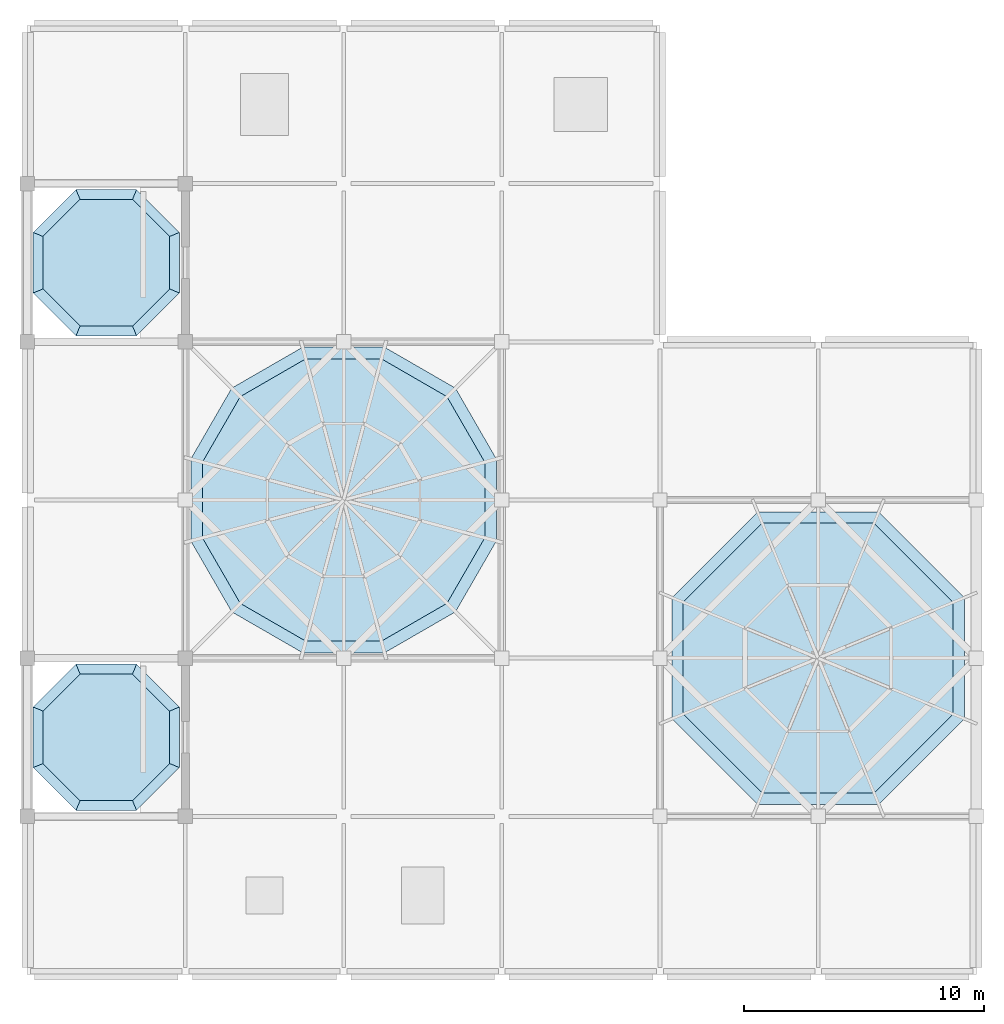
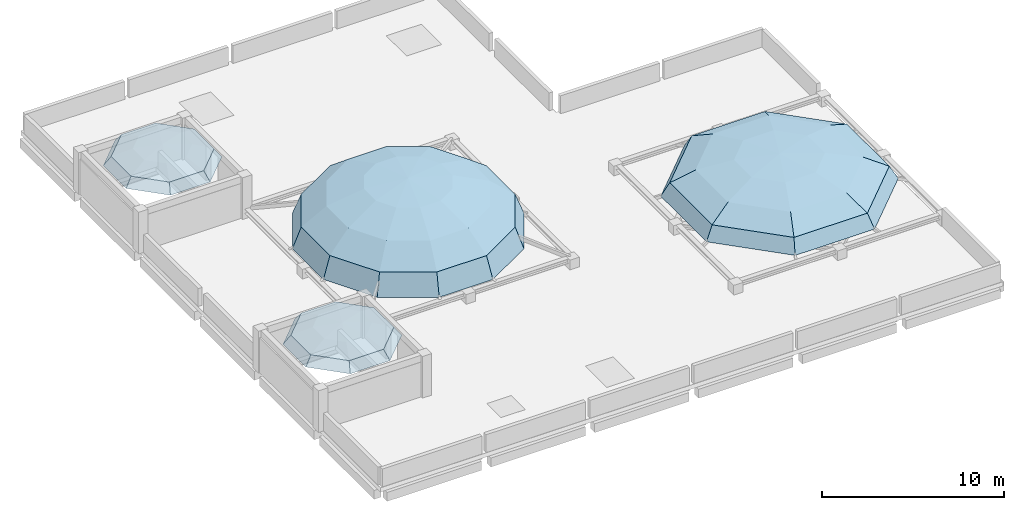
# One storey, part 5 of 5: 4 roofs.
"""IFC4 building model written with IfcOpenShell, lengths in metres."""

from ifc_helpers import new_model, si_unit, direction, frame, origin, place, context, subcontext, project, spatial, polygons, material, layer, layer_set, type_object, element, save


model = new_model("IFC4")

# Units and contexts
model_context = context("Model", 3, precision=1e-05, world=origin(), true_north=direction((0.0, 1.0)))
body_context = subcontext(model_context, "Body", "Model", "MODEL_VIEW")
ifc_project = project(units=[si_unit("LENGTHUNIT", "METRE"), si_unit("AREAUNIT", "SQUARE_METRE"), si_unit("VOLUMEUNIT", "CUBIC_METRE"), si_unit("PLANEANGLEUNIT", "RADIAN"), si_unit("MASSUNIT", "GRAM", prefix="KILO")], contexts=[model_context])

# Site, building, storey
site_placement = place(None, origin())
site = spatial("IfcSite", under=ifc_project, at=site_placement, CompositionType="ELEMENT")
building_placement = place(site_placement, origin())
building = spatial("IfcBuilding", under=site, at=building_placement, Name="Rusizi Kubbe Research Institute", CompositionType="ELEMENT")
storey_placement = place(building_placement, frame((0.0, 0.0, 73.199951171875)))
storey = spatial("IfcBuildingStorey", under=building, at=storey_placement, Name="ROOF", CompositionType="ELEMENT", Elevation=73.199951171875)

# Roofs
ifc_material_1 = material(Name="Standing Seam Zinc Insulated Shell")
ifc_layer_1 = layer(ifc_material_1, 0.179931640625)
ifc_layer_set_1 = layer_set([ifc_layer_1], Name="Standing Seam Zinc Insulated Shell")
roof_type_1 = type_object("IfcRoofType", Name="RF-05", PredefinedType="DOME_ROOF", material=ifc_layer_set_1)
roof_1_placement = place(storey_placement, frame((13.199951171875, 19.800048828125, 0.650146484375)))
element("IfcRoof", 1, at=roof_1_placement, inside=storey, type_object=roof_type_1, Name="Observatory Primary Kubbe Dome Roof", PredefinedType="DOME_ROOF", context=body_context, shape_type="Tessellation", body=[
    polygons([(6.375, 1.708251953125, 0.0), (4.6669921875, 4.6669921875, 0.0), (1.708251953125, 6.375, 0.0), (-1.708251953125, 6.375, 0.0), (-4.6669921875, 4.6669921875, 0.0), (-6.375, 1.708251953125, 0.0), (-6.375, -1.708251953125, 0.0), (-4.6669921875, -4.6669921875, 0.0), (-1.708251953125, -6.375, 0.0), (1.708251953125, -6.375, 0.0), (4.6669921875, -4.6669921875, 0.0), (6.375, -1.708251953125, 0.0), (5.889892578125, 1.578125, 1.358642578125), (4.311767578125, 4.311767578125, 1.358642578125), (1.578125, 5.889892578125, 1.358642578125), (-1.578125, 5.889892578125, 1.358642578125), (-4.311767578125, 4.311767578125, 1.358642578125), (-5.889892578125, 1.578125, 1.358642578125), (-5.889892578125, -1.578125, 1.358642578125), (-4.311767578125, -4.311767578125, 1.358642578125), (-1.578125, -5.889892578125, 1.358642578125), (1.578125, -5.889892578125, 1.358642578125), (4.311767578125, -4.311767578125, 1.358642578125), (5.889892578125, -1.578125, 1.358642578125), (4.5078125, 1.207763671875, 2.51025390625), (3.300048828125, 3.300048828125, 2.51025390625), (1.207763671875, 4.5078125, 2.51025390625), (-1.207763671875, 4.5078125, 2.51025390625), (-3.300048828125, 3.300048828125, 2.51025390625), (-4.5078125, 1.207763671875, 2.51025390625), (-4.5078125, -1.207763671875, 2.51025390625), (-3.300048828125, -3.300048828125, 2.51025390625), (-1.207763671875, -4.5078125, 2.51025390625), (1.207763671875, -4.5078125, 2.51025390625), (3.300048828125, -3.300048828125, 2.51025390625), (4.5078125, -1.207763671875, 2.51025390625), (2.439697265625, 0.65380859375, 3.27978515625), (1.785888671875, 1.785888671875, 3.27978515625), (0.65380859375, 2.439697265625, 3.27978515625), (-0.65380859375, 2.439697265625, 3.27978515625), (-1.785888671875, 1.785888671875, 3.27978515625), (-2.439697265625, 0.65380859375, 3.27978515625), (-2.439697265625, -0.65380859375, 3.27978515625), (-1.785888671875, -1.785888671875, 3.27978515625), (-0.65380859375, -2.439697265625, 3.27978515625), (0.65380859375, -2.439697265625, 3.27978515625), (1.785888671875, -1.785888671875, 3.27978515625), (2.439697265625, -0.65380859375, 3.27978515625), (0.0, 0.0, 3.550048828125), (6.201171875, 1.66162109375, 0.0), (4.53955078125, 4.53955078125, 0.0), (1.66162109375, 6.201171875, 0.0), (-1.66162109375, 6.201171875, 0.0), (-4.53955078125, 4.53955078125, 0.0), (-6.201171875, 1.66162109375, 0.0), (-6.201171875, -1.66162109375, 0.0), (-4.53955078125, -4.53955078125, 0.0), (-1.66162109375, -6.201171875, 0.0), (1.66162109375, -6.201171875, 0.0), (4.53955078125, -4.53955078125, 0.0), (6.201171875, -1.66162109375, 0.0), (5.729248046875, 1.53515625, 1.28955078125), (4.194091796875, 4.194091796875, 1.28955078125), (1.53515625, 5.729248046875, 1.28955078125), (-1.53515625, 5.729248046875, 1.28955078125), (-4.194091796875, 4.194091796875, 1.28955078125), (-5.729248046875, 1.53515625, 1.28955078125), (-5.729248046875, -1.53515625, 1.28955078125), (-4.194091796875, -4.194091796875, 1.28955078125), (-1.53515625, -5.729248046875, 1.28955078125), (1.53515625, -5.729248046875, 1.28955078125), (4.194091796875, -4.194091796875, 1.28955078125), (5.729248046875, -1.53515625, 1.28955078125), (4.385009765625, 1.175048828125, 2.383056640625), (3.2099609375, 3.2099609375, 2.383056640625), (1.175048828125, 4.385009765625, 2.383056640625), (-1.175048828125, 4.385009765625, 2.383056640625), (-3.2099609375, 3.2099609375, 2.383056640625), (-4.385009765625, 1.175048828125, 2.383056640625), (-4.385009765625, -1.175048828125, 2.383056640625), (-3.2099609375, -3.2099609375, 2.383056640625), (-1.175048828125, -4.385009765625, 2.383056640625), (1.175048828125, -4.385009765625, 2.383056640625), (3.2099609375, -3.2099609375, 2.383056640625), (4.385009765625, -1.175048828125, 2.383056640625), (2.373046875, 0.635986328125, 3.113525390625), (1.7373046875, 1.7373046875, 3.113525390625), (0.635986328125, 2.373046875, 3.113525390625), (-0.635986328125, 2.373046875, 3.113525390625), (-1.7373046875, 1.7373046875, 3.113525390625), (-2.373046875, 0.635986328125, 3.113525390625), (-2.373046875, -0.635986328125, 3.113525390625), (-1.7373046875, -1.7373046875, 3.113525390625), (-0.635986328125, -2.373046875, 3.113525390625), (0.635986328125, -2.373046875, 3.113525390625), (1.7373046875, -1.7373046875, 3.113525390625), (2.373046875, -0.635986328125, 3.113525390625), (0.0, 0.0, 3.3701171875)], [[[1, 2, 14, 13]], [[2, 3, 15, 14]], [[3, 4, 16, 15]], [[4, 5, 17, 16]], [[5, 6, 18, 17]], [[6, 7, 19, 18]], [[7, 8, 20, 19]], [[8, 9, 21, 20]], [[9, 10, 22, 21]], [[10, 11, 23, 22]], [[11, 12, 24, 23]], [[12, 1, 13, 24]], [[13, 14, 26, 25]], [[14, 15, 27, 26]], [[15, 16, 28, 27]], [[16, 17, 29, 28]], [[17, 18, 30, 29]], [[18, 19, 31, 30]], [[19, 20, 32, 31]], [[20, 21, 33, 32]], [[21, 22, 34, 33]], [[22, 23, 35, 34]], [[23, 24, 36, 35]], [[24, 13, 25, 36]], [[25, 26, 38, 37]], [[26, 27, 39, 38]], [[27, 28, 40, 39]], [[28, 29, 41, 40]], [[29, 30, 42, 41]], [[30, 31, 43, 42]], [[31, 32, 44, 43]], [[32, 33, 45, 44]], [[33, 34, 46, 45]], [[34, 35, 47, 46]], [[35, 36, 48, 47]], [[36, 25, 37, 48]], [[37, 38, 49]], [[38, 39, 49]], [[39, 40, 49]], [[40, 41, 49]], [[41, 42, 49]], [[42, 43, 49]], [[43, 44, 49]], [[44, 45, 49]], [[45, 46, 49]], [[46, 47, 49]], [[47, 48, 49]], [[48, 37, 49]], [[50, 62, 63, 51]], [[51, 63, 64, 52]], [[52, 64, 65, 53]], [[53, 65, 66, 54]], [[54, 66, 67, 55]], [[55, 67, 68, 56]], [[56, 68, 69, 57]], [[57, 69, 70, 58]], [[58, 70, 71, 59]], [[59, 71, 72, 60]], [[60, 72, 73, 61]], [[61, 73, 62, 50]], [[62, 74, 75, 63]], [[63, 75, 76, 64]], [[64, 76, 77, 65]], [[65, 77, 78, 66]], [[66, 78, 79, 67]], [[67, 79, 80, 68]], [[68, 80, 81, 69]], [[69, 81, 82, 70]], [[70, 82, 83, 71]], [[71, 83, 84, 72]], [[72, 84, 85, 73]], [[73, 85, 74, 62]], [[74, 86, 87, 75]], [[75, 87, 88, 76]], [[76, 88, 89, 77]], [[77, 89, 90, 78]], [[78, 90, 91, 79]], [[79, 91, 92, 80]], [[80, 92, 93, 81]], [[81, 93, 94, 82]], [[82, 94, 95, 83]], [[83, 95, 96, 84]], [[84, 96, 97, 85]], [[85, 97, 86, 74]], [[86, 98, 87]], [[87, 98, 88]], [[88, 98, 89]], [[89, 98, 90]], [[90, 98, 91]], [[91, 98, 92]], [[92, 98, 93]], [[93, 98, 94]], [[94, 98, 95]], [[95, 98, 96]], [[96, 98, 97]], [[97, 98, 86]], [[1, 50, 51, 2]], [[2, 51, 52, 3]], [[3, 52, 53, 4]], [[4, 53, 54, 5]], [[5, 54, 55, 6]], [[6, 55, 56, 7]], [[7, 56, 57, 8]], [[8, 57, 58, 9]], [[9, 58, 59, 10]], [[10, 59, 60, 11]], [[11, 60, 61, 12]], [[12, 61, 50, 1]]], closed=True),
])
ifc_material_2 = material(Name="Standing Seam Zinc Insulated Shell")
ifc_layer_2 = layer(ifc_material_2, 0.179931640625)
ifc_layer_set_2 = layer_set([ifc_layer_2], Name="Standing Seam Zinc Insulated Shell")
roof_type_2 = type_object("IfcRoofType", Name="RF-06", PredefinedType="DOME_ROOF", material=ifc_layer_set_2)
roof_2_placement = place(storey_placement, frame((3.300048828125, 9.89990234375, 2.800048828125)))
element("IfcRoof", 2, at=roof_2_placement, inside=storey, type_object=roof_type_2, Name="Roof Stair Headhouse Kubbe Cupola ST1", PredefinedType="DOME_ROOF", context=body_context, shape_type="Tessellation", body=[
    polygons([(3.048828125, 1.262939453125, 0.0), (1.262939453125, 3.048828125, 0.0), (-1.262939453125, 3.048828125, 0.0), (-3.048828125, 1.262939453125, 0.0), (-3.048828125, -1.262939453125, 0.0), (-1.262939453125, -3.048828125, 0.0), (1.262939453125, -3.048828125, 0.0), (3.048828125, -1.262939453125, 0.0), (2.640380859375, 1.09375, 0.574951171875), (1.09375, 2.640380859375, 0.574951171875), (-1.09375, 2.640380859375, 0.574951171875), (-2.640380859375, 1.09375, 0.574951171875), (-2.640380859375, -1.09375, 0.574951171875), (-1.09375, -2.640380859375, 0.574951171875), (1.09375, -2.640380859375, 0.574951171875), (2.640380859375, -1.09375, 0.574951171875), (1.5244140625, 0.63134765625, 0.995849609375), (0.63134765625, 1.5244140625, 0.995849609375), (-0.63134765625, 1.5244140625, 0.995849609375), (-1.5244140625, 0.63134765625, 0.995849609375), (-1.5244140625, -0.63134765625, 0.995849609375), (-0.63134765625, -1.5244140625, 0.995849609375), (0.63134765625, -1.5244140625, 0.995849609375), (1.5244140625, -0.63134765625, 0.995849609375), (0.0, 0.0, 1.14990234375), (2.882568359375, 1.194091796875, 0.0), (1.194091796875, 2.882568359375, 0.0), (-1.194091796875, 2.882568359375, 0.0), (-2.882568359375, 1.194091796875, 0.0), (-2.882568359375, -1.194091796875, 0.0), (-1.194091796875, -2.882568359375, 0.0), (1.194091796875, -2.882568359375, 0.0), (2.882568359375, -1.194091796875, 0.0), (2.496337890625, 1.033935546875, 0.485107421875), (1.033935546875, 2.496337890625, 0.485107421875), (-1.033935546875, 2.496337890625, 0.485107421875), (-2.496337890625, 1.033935546875, 0.485107421875), (-2.496337890625, -1.033935546875, 0.485107421875), (-1.033935546875, -2.496337890625, 0.485107421875), (1.033935546875, -2.496337890625, 0.485107421875), (2.496337890625, -1.033935546875, 0.485107421875), (1.441162109375, 0.596923828125, 0.840087890625), (0.596923828125, 1.441162109375, 0.840087890625), (-0.596923828125, 1.441162109375, 0.840087890625), (-1.441162109375, 0.596923828125, 0.840087890625), (-1.441162109375, -0.596923828125, 0.840087890625), (-0.596923828125, -1.441162109375, 0.840087890625), (0.596923828125, -1.441162109375, 0.840087890625), (1.441162109375, -0.596923828125, 0.840087890625), (0.0, 0.0, 0.969970703125)], [[[1, 2, 10, 9]], [[2, 3, 11, 10]], [[3, 4, 12, 11]], [[4, 5, 13, 12]], [[5, 6, 14, 13]], [[6, 7, 15, 14]], [[7, 8, 16, 15]], [[8, 1, 9, 16]], [[9, 10, 18, 17]], [[10, 11, 19, 18]], [[11, 12, 20, 19]], [[12, 13, 21, 20]], [[13, 14, 22, 21]], [[14, 15, 23, 22]], [[15, 16, 24, 23]], [[16, 9, 17, 24]], [[17, 18, 25]], [[18, 19, 25]], [[19, 20, 25]], [[20, 21, 25]], [[21, 22, 25]], [[22, 23, 25]], [[23, 24, 25]], [[24, 17, 25]], [[26, 34, 35, 27]], [[27, 35, 36, 28]], [[28, 36, 37, 29]], [[29, 37, 38, 30]], [[30, 38, 39, 31]], [[31, 39, 40, 32]], [[32, 40, 41, 33]], [[33, 41, 34, 26]], [[34, 42, 43, 35]], [[35, 43, 44, 36]], [[36, 44, 45, 37]], [[37, 45, 46, 38]], [[38, 46, 47, 39]], [[39, 47, 48, 40]], [[40, 48, 49, 41]], [[41, 49, 42, 34]], [[42, 50, 43]], [[43, 50, 44]], [[44, 50, 45]], [[45, 50, 46]], [[46, 50, 47]], [[47, 50, 48]], [[48, 50, 49]], [[49, 50, 42]], [[1, 26, 27, 2]], [[2, 27, 28, 3]], [[3, 28, 29, 4]], [[4, 29, 30, 5]], [[5, 30, 31, 6]], [[6, 31, 32, 7]], [[7, 32, 33, 8]], [[8, 33, 26, 1]]], closed=True),
])
roof_3_placement = place(storey_placement, frame((3.300048828125, 29.699951171875, 2.800048828125)))
element("IfcRoof", 3, at=roof_3_placement, inside=storey, type_object=roof_type_2, Name="Roof Stair Headhouse Kubbe Cupola ST2", PredefinedType="DOME_ROOF", context=body_context, shape_type="Tessellation", body=[
    polygons([(3.048828125, 1.262939453125, 0.0), (1.262939453125, 3.048828125, 0.0), (-1.262939453125, 3.048828125, 0.0), (-3.048828125, 1.262939453125, 0.0), (-3.048828125, -1.262939453125, 0.0), (-1.262939453125, -3.048828125, 0.0), (1.262939453125, -3.048828125, 0.0), (3.048828125, -1.262939453125, 0.0), (2.640380859375, 1.09375, 0.574951171875), (1.09375, 2.640380859375, 0.574951171875), (-1.09375, 2.640380859375, 0.574951171875), (-2.640380859375, 1.09375, 0.574951171875), (-2.640380859375, -1.09375, 0.574951171875), (-1.09375, -2.640380859375, 0.574951171875), (1.09375, -2.640380859375, 0.574951171875), (2.640380859375, -1.09375, 0.574951171875), (1.5244140625, 0.63134765625, 0.995849609375), (0.63134765625, 1.5244140625, 0.995849609375), (-0.63134765625, 1.5244140625, 0.995849609375), (-1.5244140625, 0.63134765625, 0.995849609375), (-1.5244140625, -0.63134765625, 0.995849609375), (-0.63134765625, -1.5244140625, 0.995849609375), (0.63134765625, -1.5244140625, 0.995849609375), (1.5244140625, -0.63134765625, 0.995849609375), (0.0, 0.0, 1.14990234375), (2.882568359375, 1.194091796875, 0.0), (1.194091796875, 2.882568359375, 0.0), (-1.194091796875, 2.882568359375, 0.0), (-2.882568359375, 1.194091796875, 0.0), (-2.882568359375, -1.194091796875, 0.0), (-1.194091796875, -2.882568359375, 0.0), (1.194091796875, -2.882568359375, 0.0), (2.882568359375, -1.194091796875, 0.0), (2.496337890625, 1.033935546875, 0.485107421875), (1.033935546875, 2.496337890625, 0.485107421875), (-1.033935546875, 2.496337890625, 0.485107421875), (-2.496337890625, 1.033935546875, 0.485107421875), (-2.496337890625, -1.033935546875, 0.485107421875), (-1.033935546875, -2.496337890625, 0.485107421875), (1.033935546875, -2.496337890625, 0.485107421875), (2.496337890625, -1.033935546875, 0.485107421875), (1.441162109375, 0.596923828125, 0.840087890625), (0.596923828125, 1.441162109375, 0.840087890625), (-0.596923828125, 1.441162109375, 0.840087890625), (-1.441162109375, 0.596923828125, 0.840087890625), (-1.441162109375, -0.596923828125, 0.840087890625), (-0.596923828125, -1.441162109375, 0.840087890625), (0.596923828125, -1.441162109375, 0.840087890625), (1.441162109375, -0.596923828125, 0.840087890625), (0.0, 0.0, 0.969970703125)], [[[1, 2, 10, 9]], [[2, 3, 11, 10]], [[3, 4, 12, 11]], [[4, 5, 13, 12]], [[5, 6, 14, 13]], [[6, 7, 15, 14]], [[7, 8, 16, 15]], [[8, 1, 9, 16]], [[9, 10, 18, 17]], [[10, 11, 19, 18]], [[11, 12, 20, 19]], [[12, 13, 21, 20]], [[13, 14, 22, 21]], [[14, 15, 23, 22]], [[15, 16, 24, 23]], [[16, 9, 17, 24]], [[17, 18, 25]], [[18, 19, 25]], [[19, 20, 25]], [[20, 21, 25]], [[21, 22, 25]], [[22, 23, 25]], [[23, 24, 25]], [[24, 17, 25]], [[26, 34, 35, 27]], [[27, 35, 36, 28]], [[28, 36, 37, 29]], [[29, 37, 38, 30]], [[30, 38, 39, 31]], [[31, 39, 40, 32]], [[32, 40, 41, 33]], [[33, 41, 34, 26]], [[34, 42, 43, 35]], [[35, 43, 44, 36]], [[36, 44, 45, 37]], [[37, 45, 46, 38]], [[38, 46, 47, 39]], [[39, 47, 48, 40]], [[40, 48, 49, 41]], [[41, 49, 42, 34]], [[42, 50, 43]], [[43, 50, 44]], [[44, 50, 45]], [[45, 50, 46]], [[46, 50, 47]], [[47, 50, 48]], [[48, 50, 49]], [[49, 50, 42]], [[1, 26, 27, 2]], [[2, 27, 28, 3]], [[3, 28, 29, 4]], [[4, 29, 30, 5]], [[5, 30, 31, 6]], [[6, 31, 32, 7]], [[7, 32, 33, 8]], [[8, 33, 26, 1]]], closed=True),
])
roof_4_placement = place(storey_placement, frame((33.0, 13.199951171875, 0.650146484375)))
element("IfcRoof", 4, at=roof_4_placement, inside=storey, type_object=roof_type_2, Name="East Crown Kubbe Cupola Roof", PredefinedType="DOME_ROOF", context=body_context, shape_type="Tessellation", body=[
    polygons([(6.09765625, 2.525634765625, 0.0), (2.525634765625, 6.09765625, 0.0), (-2.525634765625, 6.09765625, 0.0), (-6.09765625, 2.525634765625, 0.0), (-6.09765625, -2.525634765625, 0.0), (-2.525634765625, -6.09765625, 0.0), (2.525634765625, -6.09765625, 0.0), (6.09765625, -2.525634765625, 0.0), (5.633544921875, 2.33349609375, 0.861083984375), (2.33349609375, 5.633544921875, 0.861083984375), (-2.33349609375, 5.633544921875, 0.861083984375), (-5.633544921875, 2.33349609375, 0.861083984375), (-5.633544921875, -2.33349609375, 0.861083984375), (-2.33349609375, -5.633544921875, 0.861083984375), (2.33349609375, -5.633544921875, 0.861083984375), (5.633544921875, -2.33349609375, 0.861083984375), (4.311767578125, 1.785888671875, 1.591064453125), (1.785888671875, 4.311767578125, 1.591064453125), (-1.785888671875, 4.311767578125, 1.591064453125), (-4.311767578125, 1.785888671875, 1.591064453125), (-4.311767578125, -1.785888671875, 1.591064453125), (-1.785888671875, -4.311767578125, 1.591064453125), (1.785888671875, -4.311767578125, 1.591064453125), (4.311767578125, -1.785888671875, 1.591064453125), (2.33349609375, 0.966552734375, 2.07861328125), (0.966552734375, 2.33349609375, 2.07861328125), (-0.966552734375, 2.33349609375, 2.07861328125), (-2.33349609375, 0.966552734375, 2.07861328125), (-2.33349609375, -0.966552734375, 2.07861328125), (-0.966552734375, -2.33349609375, 2.07861328125), (0.966552734375, -2.33349609375, 2.07861328125), (2.33349609375, -0.966552734375, 2.07861328125), (0.0, 0.0, 2.25), (5.931396484375, 2.456787109375, 0.0), (2.456787109375, 5.931396484375, 0.0), (-2.456787109375, 5.931396484375, 0.0), (-5.931396484375, 2.456787109375, 0.0), (-5.931396484375, -2.456787109375, 0.0), (-2.456787109375, -5.931396484375, 0.0), (2.456787109375, -5.931396484375, 0.0), (5.931396484375, -2.456787109375, 0.0), (5.479736328125, 2.269775390625, 0.792236328125), (2.269775390625, 5.479736328125, 0.792236328125), (-2.269775390625, 5.479736328125, 0.792236328125), (-5.479736328125, 2.269775390625, 0.792236328125), (-5.479736328125, -2.269775390625, 0.792236328125), (-2.269775390625, -5.479736328125, 0.792236328125), (2.269775390625, -5.479736328125, 0.792236328125), (5.479736328125, -2.269775390625, 0.792236328125), (4.194091796875, 1.7373046875, 1.463623046875), (1.7373046875, 4.194091796875, 1.463623046875), (-1.7373046875, 4.194091796875, 1.463623046875), (-4.194091796875, 1.7373046875, 1.463623046875), (-4.194091796875, -1.7373046875, 1.463623046875), (-1.7373046875, -4.194091796875, 1.463623046875), (1.7373046875, -4.194091796875, 1.463623046875), (4.194091796875, -1.7373046875, 1.463623046875), (2.269775390625, 0.940185546875, 1.912353515625), (0.940185546875, 2.269775390625, 1.912353515625), (-0.940185546875, 2.269775390625, 1.912353515625), (-2.269775390625, 0.940185546875, 1.912353515625), (-2.269775390625, -0.940185546875, 1.912353515625), (-0.940185546875, -2.269775390625, 1.912353515625), (0.940185546875, -2.269775390625, 1.912353515625), (2.269775390625, -0.940185546875, 1.912353515625), (0.0, 0.0, 2.070068359375)], [[[1, 2, 10, 9]], [[2, 3, 11, 10]], [[3, 4, 12, 11]], [[4, 5, 13, 12]], [[5, 6, 14, 13]], [[6, 7, 15, 14]], [[7, 8, 16, 15]], [[8, 1, 9, 16]], [[9, 10, 18, 17]], [[10, 11, 19, 18]], [[11, 12, 20, 19]], [[12, 13, 21, 20]], [[13, 14, 22, 21]], [[14, 15, 23, 22]], [[15, 16, 24, 23]], [[16, 9, 17, 24]], [[17, 18, 26, 25]], [[18, 19, 27, 26]], [[19, 20, 28, 27]], [[20, 21, 29, 28]], [[21, 22, 30, 29]], [[22, 23, 31, 30]], [[23, 24, 32, 31]], [[24, 17, 25, 32]], [[25, 26, 33]], [[26, 27, 33]], [[27, 28, 33]], [[28, 29, 33]], [[29, 30, 33]], [[30, 31, 33]], [[31, 32, 33]], [[32, 25, 33]], [[34, 42, 43, 35]], [[35, 43, 44, 36]], [[36, 44, 45, 37]], [[37, 45, 46, 38]], [[38, 46, 47, 39]], [[39, 47, 48, 40]], [[40, 48, 49, 41]], [[41, 49, 42, 34]], [[42, 50, 51, 43]], [[43, 51, 52, 44]], [[44, 52, 53, 45]], [[45, 53, 54, 46]], [[46, 54, 55, 47]], [[47, 55, 56, 48]], [[48, 56, 57, 49]], [[49, 57, 50, 42]], [[50, 58, 59, 51]], [[51, 59, 60, 52]], [[52, 60, 61, 53]], [[53, 61, 62, 54]], [[54, 62, 63, 55]], [[55, 63, 64, 56]], [[56, 64, 65, 57]], [[57, 65, 58, 50]], [[58, 66, 59]], [[59, 66, 60]], [[60, 66, 61]], [[61, 66, 62]], [[62, 66, 63]], [[63, 66, 64]], [[64, 66, 65]], [[65, 66, 58]], [[1, 34, 35, 2]], [[2, 35, 36, 3]], [[3, 36, 37, 4]], [[4, 37, 38, 5]], [[5, 38, 39, 6]], [[6, 39, 40, 7]], [[7, 40, 41, 8]], [[8, 41, 34, 1]]], closed=True),
])

save(model, "model.ifc")
